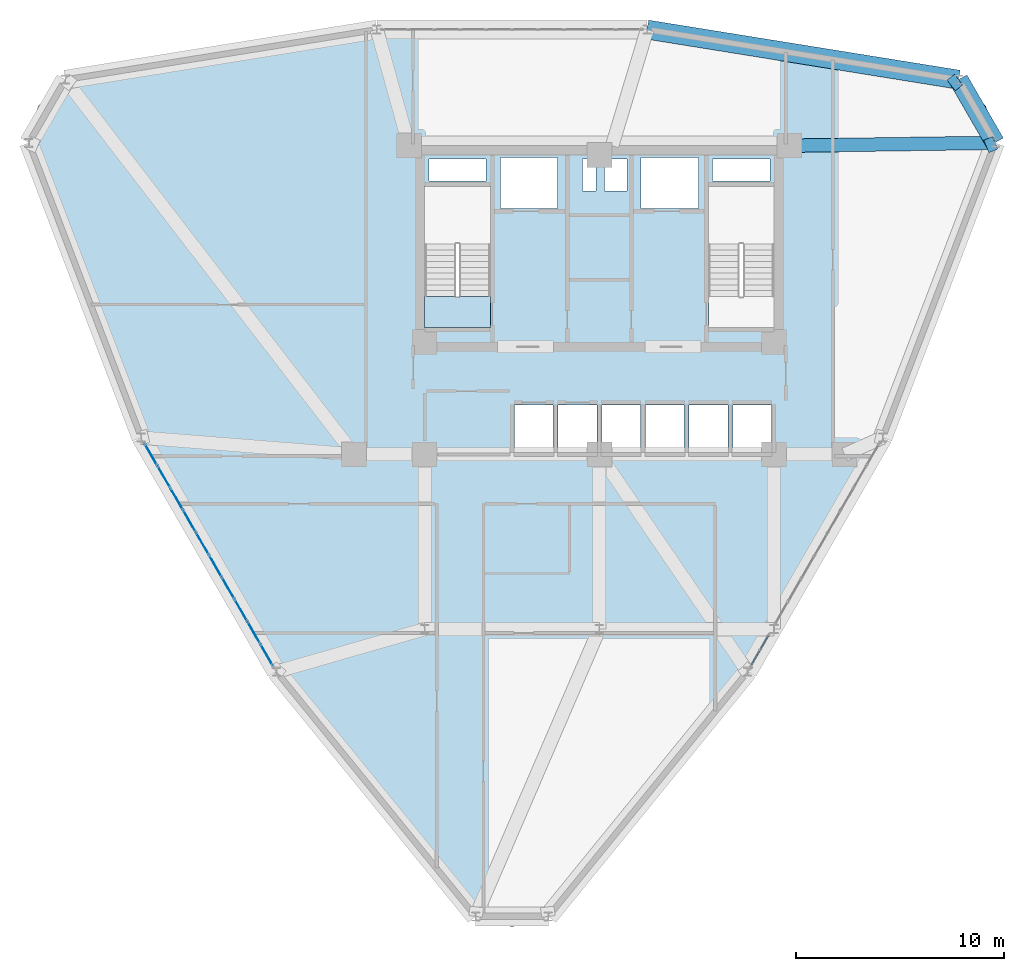
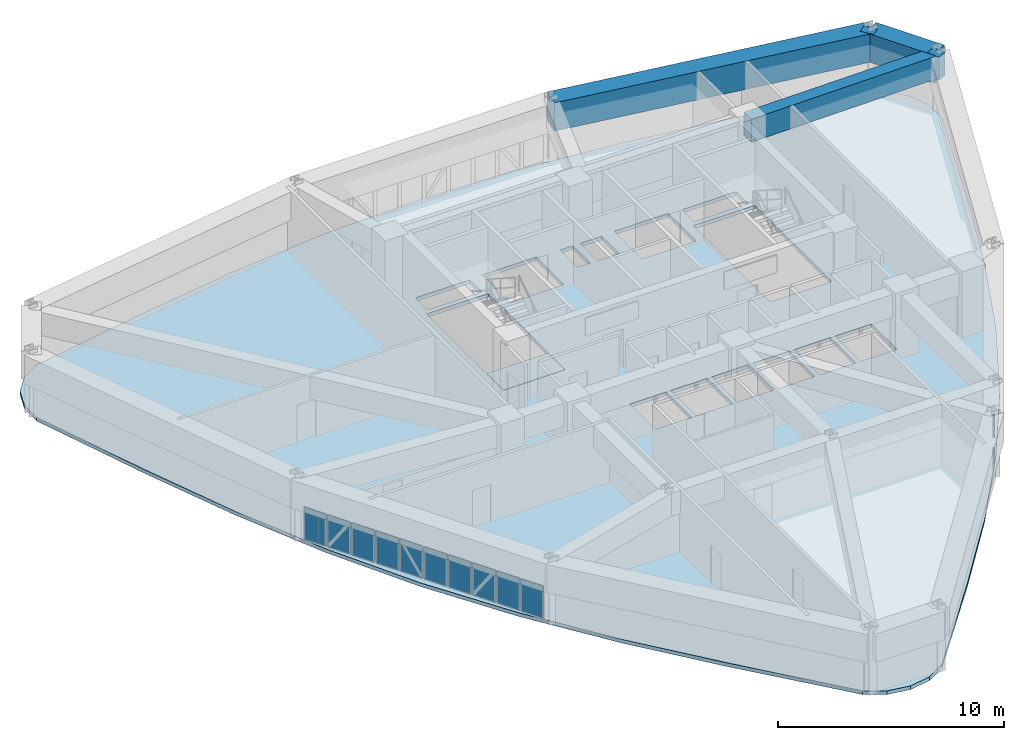
# One storey, part 9 of 13: 10 plates, 5 beams, 4 members, 2 slabs, 2 elements without a shape of their own.
"""IFC4 building model written with IfcOpenShell, lengths in metres."""

from ifc_helpers import new_model, si_unit, derived_unit, direction, frame, origin, origin_2d, place, context, subcontext, project, spatial, polyline, rectangle, hollow_rectangle, outline, extrude, source, transform, mapped, material, layer, layer_set, material_profile, profile_set, type_object, element, aggregate, save


model = new_model("IFC4")

# Units and contexts
model_context = context("Model", 3, precision=1e-05, world=origin(), true_north=direction((0.0, 1.0)))
body_context = subcontext(model_context, "Body", "Model", "MODEL_VIEW")
ifc_project = project(units=[si_unit("LENGTHUNIT", "METRE"), si_unit("AREAUNIT", "SQUARE_METRE"), si_unit("VOLUMEUNIT", "CUBIC_METRE"), si_unit("PLANEANGLEUNIT", "RADIAN"), si_unit("MASSUNIT", "GRAM", prefix="KILO"), derived_unit("THERMALTRANSMITTANCEUNIT", [(si_unit("POWERUNIT", "WATT"), 1), (si_unit("LENGTHUNIT", "METRE"), -2), (si_unit("THERMODYNAMICTEMPERATUREUNIT", "KELVIN"), -1)])], contexts=[model_context])

# Site, building, storey
site_placement = place(None, origin())
site = spatial("IfcSite", under=ifc_project, at=site_placement, CompositionType="ELEMENT")
building_placement = place(site_placement, origin())
building = spatial("IfcBuilding", under=site, at=building_placement, Name="Korsvarv Bourse and Concert Hall", CompositionType="ELEMENT")
storey_placement = place(building_placement, frame((0.0, 0.0, 154.199951171875)))
storey = spatial("IfcBuildingStorey", under=building, at=storey_placement, Name="L39", CompositionType="ELEMENT", Elevation=154.199951171875)

# Beams
ifc_material_1 = material(Name="Concrete C50/60", Category="concrete")
ifc_material_profile_1 = material_profile(ifc_material_1, rectangle(XDim=0.919921875, YDim=1.530029296875, at=origin_2d()), Name="RC-BM 920x1530")
ifc_profile_set_1 = profile_set([ifc_material_profile_1], Name="Concrete C50/60")
beam_type_1 = type_object("IfcBeamType", Name="BM-TR-154", PredefinedType="BEAM", material=ifc_profile_set_1)
shared_shape_1 = source(origin(), body_context, "Body", "SweptSolid", [
    extrude(rectangle(XDim=0.919921875, YDim=1.530029296875, at=origin_2d()), origin(), (0.0, 0.0, 1.0), 3.505859375),
])
beam_1_placement = place(storey_placement, frame((55.033935546875, 47.39013671875, 2.635009765625), z_axis=(-0.500003763204, 0.866023231087, 0.0), x_axis=(-0.866023231087, -0.500003763204, 0.0)))
element("IfcBeam", 1, at=beam_1_placement, inside=storey, type_object=beam_type_1, Name="L39 beam B-TR6", PredefinedType="BEAM", context=body_context, shape_type="MappedRepresentation", body=[
    mapped(shared_shape_1, transform((0.0, 0.0, 0.0), scale=1.0)),
])
shared_shape_2 = source(origin(), body_context, "Body", "SweptSolid", [
    extrude(rectangle(XDim=0.919921875, YDim=1.530029296875, at=origin_2d()), origin(), (0.0, 0.0, 1.0), 15.1728515625),
])
beam_2_placement = place(storey_placement, frame((53.281005859375, 50.42626953125, 2.635009765625), z_axis=(-0.987303302505, 0.158846431694, 0.0), x_axis=(-0.158846431694, -0.987303302505, 0.0)))
element("IfcBeam", 2, at=beam_2_placement, inside=storey, type_object=beam_type_1, Name="L39 beam B-TR6", PredefinedType="BEAM", context=body_context, shape_type="MappedRepresentation", body=[
    mapped(shared_shape_2, transform((0.0, 0.0, 0.0), scale=1.0)),
])
ifc_material_profile_2 = material_profile(ifc_material_1, rectangle(XDim=0.64990234375, YDim=1.239990234375, at=origin_2d()), Name="RC-BM 650x1240")
ifc_profile_set_2 = profile_set([ifc_material_profile_2], Name="Concrete C50/60")
beam_type_2 = type_object("IfcBeamType", Name="BM-TR-SPN", PredefinedType="BEAM", material=ifc_profile_set_2)
shared_shape_3 = source(origin(), body_context, "Body", "SweptSolid", [
    extrude(rectangle(XDim=0.64990234375, YDim=1.239990234375, at=origin_2d()), origin(), (0.0, 0.0, 1.0), 9.885009765625),
])
beam_3_placement = place(storey_placement, frame((55.033935546875, 47.39013671875, 2.780029296875), z_axis=(-0.999899506023, -0.014176665838, 0.0), x_axis=(0.014176665838, -0.999899506023, 0.0)))
element("IfcBeam", 3, at=beam_3_placement, inside=storey, type_object=beam_type_2, Name="L39 beam B-TRS", PredefinedType="BEAM", context=body_context, shape_type="MappedRepresentation", body=[
    mapped(shared_shape_3, transform((0.0, 0.0, 0.0), scale=1.0)),
])
shared_shape_4 = source(origin(), body_context, "Body", "SweptSolid", [
    extrude(rectangle(XDim=0.64990234375, YDim=1.239990234375, at=origin_2d()), origin(), (0.0, 0.0, 1.0), 0.455078125),
])
for number, where, z_axis, x_axis, name in (
    (4, (55.033935546875, 47.39013671875, 2.780029296875), (-0.921978275824, -0.38724160276, 0.0), (0.38724160276, -0.921978275824, 0.0), "L39 beam B-TRS"),
    (5, (53.281005859375, 50.42626953125, 2.780029296875), (-0.796120841668, -0.605137674799, 0.0), (0.605137674799, -0.796120841668, 0.0), "L39 beam B-TRS"),
):
    element("IfcBeam", number, at=place(storey_placement, frame(where, z_axis=z_axis, x_axis=x_axis)), inside=storey, type_object=beam_type_2, Name=name, PredefinedType="BEAM", context=body_context, shape_type="MappedRepresentation", body=[
        mapped(shared_shape_4, transform((0.0, 0.0, 0.0), scale=1.0)),
    ])

# Curtain wall, members
ifc_material_2 = material(Name="Anodised aluminium and triple low-E glazing", Category="glass")
ifc_layer_1 = layer(ifc_material_2, 0.2099609375)
ifc_layer_set_1 = layer_set([ifc_layer_1], Name="Anodised aluminium and triple low-E glazing")
curtain_wall_type = type_object("IfcCurtainWallType", Name="CW-SYS-2", PredefinedType="NOTDEFINED", material=ifc_layer_set_1)
curtain_wall_1_placement = place(storey_placement, origin())
curtain_wall_1 = element("IfcCurtainWall", 6, at=curtain_wall_1_placement, inside=storey, type_object=curtain_wall_type, Name="L39 CW2 curtain wall CW-L39-F11-1", PredefinedType="NOTDEFINED")
ifc_material_3 = material(Name="Extruded aluminium EN AW-6063 T66", Category="aluminium")
ifc_material_profile_3 = material_profile(ifc_material_3, hollow_rectangle(XDim=0.06494140625, YDim=0.139892578125, WallThickness=0.00390625, at=origin_2d()), Name="ALU-T 65x140")
ifc_profile_set_3 = profile_set([ifc_material_profile_3], Name="Extruded aluminium EN AW-6063 T66")
member_type = type_object("IfcMemberType", Name="CWT-140", PredefinedType="USERDEFINED", material=ifc_profile_set_3)
shared_shape_5 = source(origin(), body_context, "Body", "SweptSolid", [
    extrude(hollow_rectangle(XDim=0.06494140625, YDim=0.139892578125, WallThickness=0.00390625, at=origin_2d()), origin(), (0.0, 0.0, 1.0), 0.7685546875),
])
member_1_placement = place(storey_placement, frame((43.31982421875, 22.280029296875, 0.032470703125), z_axis=(0.500034110783, 0.866005709019, 0.0), x_axis=(-0.866005709019, 0.500034110783, 0.0)))
member_1 = element("IfcMember", 7, at=member_1_placement, type_object=member_type, Name="CW2 transom 1.1", ObjectType="TRANSOM", PredefinedType="USERDEFINED", context=body_context, shape_type="MappedRepresentation", body=[
    mapped(shared_shape_5, transform((0.0, 0.0, 0.0), scale=1.0)),
])
member_2_placement = place(storey_placement, frame((43.31982421875, 22.280029296875, 1.837646484375), z_axis=(0.500034110783, 0.866005709019, 0.0), x_axis=(-0.866005709019, 0.500034110783, 0.0)))
member_2 = element("IfcMember", 8, at=member_2_placement, type_object=member_type, Name="CW2 transom 1.2", ObjectType="TRANSOM", PredefinedType="USERDEFINED", context=body_context, shape_type="MappedRepresentation", body=[
    mapped(shared_shape_5, transform((0.0, 0.0, 0.0), scale=1.0)),
])
member_3_placement = place(storey_placement, frame((43.739013671875, 23.00634765625, 0.032470703125), z_axis=(0.500034110783, 0.866005709019, 0.0), x_axis=(-0.866005709019, 0.500034110783, 0.0)))
member_3 = element("IfcMember", 9, at=member_3_placement, type_object=member_type, Name="CW2 transom 2.1", ObjectType="TRANSOM", PredefinedType="USERDEFINED", context=body_context, shape_type="MappedRepresentation", body=[
    mapped(shared_shape_5, transform((0.0, 0.0, 0.0), scale=1.0)),
])
member_4_placement = place(storey_placement, frame((43.739013671875, 23.00634765625, 1.837646484375), z_axis=(0.500034110783, 0.866005709019, 0.0), x_axis=(-0.866005709019, 0.500034110783, 0.0)))
member_4 = element("IfcMember", 10, at=member_4_placement, type_object=member_type, Name="CW2 transom 2.2", ObjectType="TRANSOM", PredefinedType="USERDEFINED", context=body_context, shape_type="MappedRepresentation", body=[
    mapped(shared_shape_5, transform((0.0, 0.0, 0.0), scale=1.0)),
])
aggregate(curtain_wall_1, [member_1, member_2, member_3, member_4])

# Slabs
ifc_material_4 = material(Name="Precast concrete C45/55", Category="concrete")
ifc_layer_2 = layer(ifc_material_4, 0.199951171875)
ifc_layer_set_2 = layer_set([ifc_layer_2], Name="Precast concrete C45/55")
slab_type_1 = type_object("IfcSlabType", Name="SLB-FLND-T", PredefinedType="LANDING", material=ifc_layer_set_2)
slab_1_placement = place(storey_placement, frame((0.0, 0.0, -0.199951171875)))
element("IfcSlab", 11, at=slab_1_placement, inside=storey, type_object=slab_type_1, Name="L39 Stair ST-T1 Floor Landing Slab", PredefinedType="LANDING", context=body_context, shape_type="SweptSolid", body=[
    extrude(outline(polyline([(30.760009765625, 38.5), (30.760009765625, 40.0), (27.60009765625, 40.0), (27.60009765625, 38.5), (30.760009765625, 38.5)])), origin(), (0.0, 0.0, 1.0), 0.199951171875),
])
ifc_material_5 = material(Name="Concrete C45/55", Category="concrete")
ifc_layer_3 = layer(ifc_material_5, 0.199951171875)
ifc_layer_set_3 = layer_set([ifc_layer_3], Name="Concrete C45/55")
slab_type_2 = type_object("IfcSlabType", Name="SLB-TW2", PredefinedType="FLOOR", material=ifc_layer_set_3)
slab_2_placement = place(storey_placement, frame((0.0, 0.0, -0.199951171875)))
element("IfcSlab", 12, at=slab_2_placement, inside=storey, type_object=slab_type_2, Name="L39 tower structural floor slab", PredefinedType="FLOOR", context=body_context, shape_type="SweptSolid", body=[
    extrude(outline(polyline([(54.530517578125, 45.832763671875), (52.81396484375, 41.052978515625), (50.986083984375, 36.362548828125), (48.9462890625, 31.814697265625), (46.626220703125, 27.440185546875), (43.997802734375, 23.243408203125), (41.0791015625, 19.203125), (37.930908203125, 15.27490234375), (34.64990234375, 11.398193359375), (34.6474609375, 11.3955078125), (33.83935546875, 10.4326171875), (32.88525390625, 9.881591796875), (31.800048828125, 9.690185546875), (30.71484375, 9.881591796875), (29.760498046875, 10.4326171875), (28.95263671875, 11.3955078125), (28.9501953125, 11.398193359375), (25.669189453125, 15.27490234375), (22.52099609375, 19.203125), (19.602294921875, 23.243408203125), (16.973876953125, 27.440185546875), (14.653564453125, 31.814697265625), (12.614013671875, 36.362548828125), (10.7861328125, 41.052978515625), (9.069580078125, 45.832763671875), (9.068115234375, 45.83642578125), (8.63818359375, 47.017578125), (8.63818359375, 48.119384765625), (9.01513671875, 49.15478515625), (9.723388671875, 49.9990234375), (10.677490234375, 50.5498046875), (11.91552734375, 50.768310546875), (11.919189453125, 50.768798828125), (16.9169921875, 51.671875), (21.892822265625, 52.434326171875), (26.851318359375, 52.94189453125), (31.800048828125, 53.11962890625), (36.74853515625, 52.94189453125), (41.70703125, 52.434326171875), (46.68310546875, 51.671875), (51.6806640625, 50.768798828125), (51.684326171875, 50.768310546875), (52.92236328125, 50.5498046875), (53.876708984375, 49.9990234375), (54.5849609375, 49.15478515625), (54.9619140625, 48.119384765625), (54.9619140625, 47.017578125), (54.53173828125, 45.83642578125), (54.530517578125, 45.832763671875)]), holes=[polyline([(30.760009765625, 38.5), (30.760009765625, 45.300048828125), (27.60009765625, 45.300048828125), (27.60009765625, 38.5), (30.760009765625, 38.5)]), polyline([(44.39990234375, 38.5), (44.39990234375, 45.300048828125), (41.239990234375, 45.300048828125), (41.239990234375, 38.5), (44.39990234375, 38.5)]), polyline([(31.239990234375, 44.219970703125), (34.0, 44.219970703125), (34.0, 46.679931640625), (31.239990234375, 46.679931640625), (31.239990234375, 44.219970703125)]), polyline([(38.0, 44.219970703125), (40.760009765625, 44.219970703125), (40.760009765625, 46.679931640625), (38.0, 46.679931640625), (38.0, 44.219970703125)]), polyline([(31.919921875, 32.52001953125), (33.780029296875, 32.52001953125), (33.780029296875, 34.780029296875), (31.919921875, 34.780029296875), (31.919921875, 32.52001953125)]), polyline([(34.02001953125, 32.52001953125), (35.8798828125, 32.52001953125), (35.8798828125, 34.780029296875), (34.02001953125, 34.780029296875), (34.02001953125, 32.52001953125)]), polyline([(36.1201171875, 32.52001953125), (37.97998046875, 32.52001953125), (37.97998046875, 34.780029296875), (36.1201171875, 34.780029296875), (36.1201171875, 32.52001953125)]), polyline([(38.219970703125, 32.52001953125), (40.080078125, 32.52001953125), (40.080078125, 34.780029296875), (38.219970703125, 34.780029296875), (38.219970703125, 32.52001953125)]), polyline([(40.320068359375, 32.52001953125), (42.179931640625, 32.52001953125), (42.179931640625, 34.780029296875), (40.320068359375, 34.780029296875), (40.320068359375, 32.52001953125)]), polyline([(42.419921875, 32.52001953125), (44.280029296875, 32.52001953125), (44.280029296875, 34.780029296875), (42.419921875, 34.780029296875), (42.419921875, 32.52001953125)]), polyline([(27.800048828125, 45.56005859375), (30.56005859375, 45.56005859375), (30.56005859375, 46.6201171875), (27.800048828125, 46.6201171875), (27.800048828125, 45.56005859375)]), polyline([(41.43994140625, 45.56005859375), (44.199951171875, 45.56005859375), (44.199951171875, 46.6201171875), (41.43994140625, 46.6201171875), (41.43994140625, 45.56005859375)]), polyline([(35.199951171875, 45.080078125), (35.840087890625, 45.080078125), (35.840087890625, 46.6201171875), (35.199951171875, 46.6201171875), (35.199951171875, 45.080078125)]), polyline([(36.239990234375, 45.080078125), (37.320068359375, 45.080078125), (37.320068359375, 46.6201171875), (36.239990234375, 46.6201171875), (36.239990234375, 45.080078125)])]), origin(), (0.0, 0.0, 1.0), 0.199951171875),
])

# Curtain wall, plates
curtain_wall_2_placement = place(storey_placement, origin())
curtain_wall_2 = element("IfcCurtainWall", 13, at=curtain_wall_2_placement, inside=storey, type_object=curtain_wall_type, Name="L39 CW2 curtain wall CW-L39-F07", PredefinedType="NOTDEFINED")
ifc_material_6 = material(Name="Tempered triple insulated low-E architectural glass", Category="glass")
ifc_layer_4 = layer(ifc_material_6, 0.0380859375)
ifc_layer_set_4 = layer_set([ifc_layer_4], Name="Tempered triple insulated low-E architectural glass")
plate_type_1 = type_object("IfcPlateType", Name="CWP-VIS2", PredefinedType="CURTAIN_PANEL", material=ifc_layer_set_4)
shared_shape_6 = source(origin(), body_context, "Body", "SweptSolid", [
    extrude(rectangle(XDim=1.13330078125, YDim=0.0380859375, at=origin_2d()), origin(), (0.0, 0.0, 1.0), 1.739990234375),
])
plate_1_placement = place(storey_placement, frame((14.441650390625, 32.392822265625, 0.06494140625), z_axis=(0.0, 0.0, 1.0), x_axis=(0.500005545591, -0.866022202013, 0.0)))
plate_1 = element("IfcPlate", 14, at=plate_1_placement, type_object=plate_type_1, Name="CW2 faceted panel 1.1", PredefinedType="CURTAIN_PANEL", context=body_context, shape_type="MappedRepresentation", body=[
    mapped(shared_shape_6, transform((0.0, 0.0, 0.0), scale=1.0)),
])
plate_2_placement = place(storey_placement, frame((19.996826171875, 22.770751953125, 0.06494140625), z_axis=(0.0, 0.0, 1.0), x_axis=(0.500005545591, -0.866022202013, 0.0)))
plate_2 = element("IfcPlate", 15, at=plate_2_placement, type_object=plate_type_1, Name="CW2 faceted panel 10.1", PredefinedType="CURTAIN_PANEL", context=body_context, shape_type="MappedRepresentation", body=[
    mapped(shared_shape_6, transform((0.0, 0.0, 0.0), scale=1.0)),
])
ifc_material_7 = material(Name="Insulated spandrel glass", Category="glass")
ifc_layer_5 = layer(ifc_material_7, 0.031982421875)
ifc_layer_set_5 = layer_set([ifc_layer_5], Name="Insulated spandrel glass")
plate_type_2 = type_object("IfcPlateType", Name="CWP-SPD1", PredefinedType="CURTAIN_PANEL", material=ifc_layer_set_5)
shared_shape_7 = source(origin(), body_context, "Body", "SweptSolid", [
    extrude(rectangle(XDim=1.16845703125, YDim=0.031982421875, at=origin_2d()), origin(), (0.0, 0.0, 1.0), 1.739990234375),
])
plate_3_placement = place(storey_placement, frame((15.052001953125, 31.33544921875, 0.06494140625), z_axis=(0.0, 0.0, 1.0), x_axis=(0.500005545591, -0.866022202013, 0.0)))
plate_3 = element("IfcPlate", 16, at=plate_3_placement, type_object=plate_type_2, Name="CW2 spandrel shadow-box panel 2.1", PredefinedType="CURTAIN_PANEL", context=body_context, shape_type="MappedRepresentation", body=[
    mapped(shared_shape_7, transform((0.0, 0.0, 0.0), scale=1.0)),
])
plate_4_placement = place(storey_placement, frame((16.90966796875, 28.117919921875, 0.06494140625), z_axis=(0.0, 0.0, 1.0), x_axis=(0.500005545591, -0.866022202013, 0.0)))
plate_4 = element("IfcPlate", 17, at=plate_4_placement, type_object=plate_type_2, Name="CW2 spandrel shadow-box panel 5.1", PredefinedType="CURTAIN_PANEL", context=body_context, shape_type="MappedRepresentation", body=[
    mapped(shared_shape_7, transform((0.0, 0.0, 0.0), scale=1.0)),
])
plate_5_placement = place(storey_placement, frame((18.76708984375, 24.900634765625, 0.06494140625), z_axis=(0.0, 0.0, 1.0), x_axis=(0.500005545591, -0.866022202013, 0.0)))
plate_5 = element("IfcPlate", 18, at=plate_5_placement, type_object=plate_type_2, Name="CW2 spandrel shadow-box panel 8.1", PredefinedType="CURTAIN_PANEL", context=body_context, shape_type="MappedRepresentation", body=[
    mapped(shared_shape_7, transform((0.0, 0.0, 0.0), scale=1.0)),
])
shared_shape_8 = source(origin(), body_context, "Body", "SweptSolid", [
    extrude(rectangle(XDim=1.16845703125, YDim=0.0380859375, at=origin_2d()), origin(), (0.0, 0.0, 1.0), 1.739990234375),
])
plate_6_placement = place(storey_placement, frame((15.671142578125, 30.262939453125, 0.06494140625), z_axis=(0.0, 0.0, 1.0), x_axis=(0.500005545591, -0.866022202013, 0.0)))
plate_6 = element("IfcPlate", 19, at=plate_6_placement, type_object=plate_type_1, Name="CW2 faceted panel 3.1", PredefinedType="CURTAIN_PANEL", context=body_context, shape_type="MappedRepresentation", body=[
    mapped(shared_shape_8, transform((0.0, 0.0, 0.0), scale=1.0)),
])
plate_7_placement = place(storey_placement, frame((16.290283203125, 29.1904296875, 0.06494140625), z_axis=(0.0, 0.0, 1.0), x_axis=(0.500005545591, -0.866022202013, 0.0)))
plate_7 = element("IfcPlate", 20, at=plate_7_placement, type_object=plate_type_1, Name="CW2 faceted panel 4.1", PredefinedType="CURTAIN_PANEL", context=body_context, shape_type="MappedRepresentation", body=[
    mapped(shared_shape_8, transform((0.0, 0.0, 0.0), scale=1.0)),
])
plate_8_placement = place(storey_placement, frame((17.52880859375, 27.04541015625, 0.06494140625), z_axis=(0.0, 0.0, 1.0), x_axis=(0.500005545591, -0.866022202013, 0.0)))
plate_8 = element("IfcPlate", 21, at=plate_8_placement, type_object=plate_type_1, Name="CW2 faceted panel 6.1", PredefinedType="CURTAIN_PANEL", context=body_context, shape_type="MappedRepresentation", body=[
    mapped(shared_shape_8, transform((0.0, 0.0, 0.0), scale=1.0)),
])
plate_9_placement = place(storey_placement, frame((18.14794921875, 25.97314453125, 0.06494140625), z_axis=(0.0, 0.0, 1.0), x_axis=(0.500005545591, -0.866022202013, 0.0)))
plate_9 = element("IfcPlate", 22, at=plate_9_placement, type_object=plate_type_1, Name="CW2 faceted panel 7.1", PredefinedType="CURTAIN_PANEL", context=body_context, shape_type="MappedRepresentation", body=[
    mapped(shared_shape_8, transform((0.0, 0.0, 0.0), scale=1.0)),
])
plate_10_placement = place(storey_placement, frame((19.386474609375, 23.828125, 0.06494140625), z_axis=(0.0, 0.0, 1.0), x_axis=(0.500005545591, -0.866022202013, 0.0)))
plate_10 = element("IfcPlate", 23, at=plate_10_placement, type_object=plate_type_1, Name="CW2 faceted panel 9.1", PredefinedType="CURTAIN_PANEL", context=body_context, shape_type="MappedRepresentation", body=[
    mapped(shared_shape_8, transform((0.0, 0.0, 0.0), scale=1.0)),
])
aggregate(curtain_wall_2, [plate_1, plate_3, plate_6, plate_7, plate_4, plate_8, plate_9, plate_5, plate_10, plate_2])

save(model, "model.ifc")
